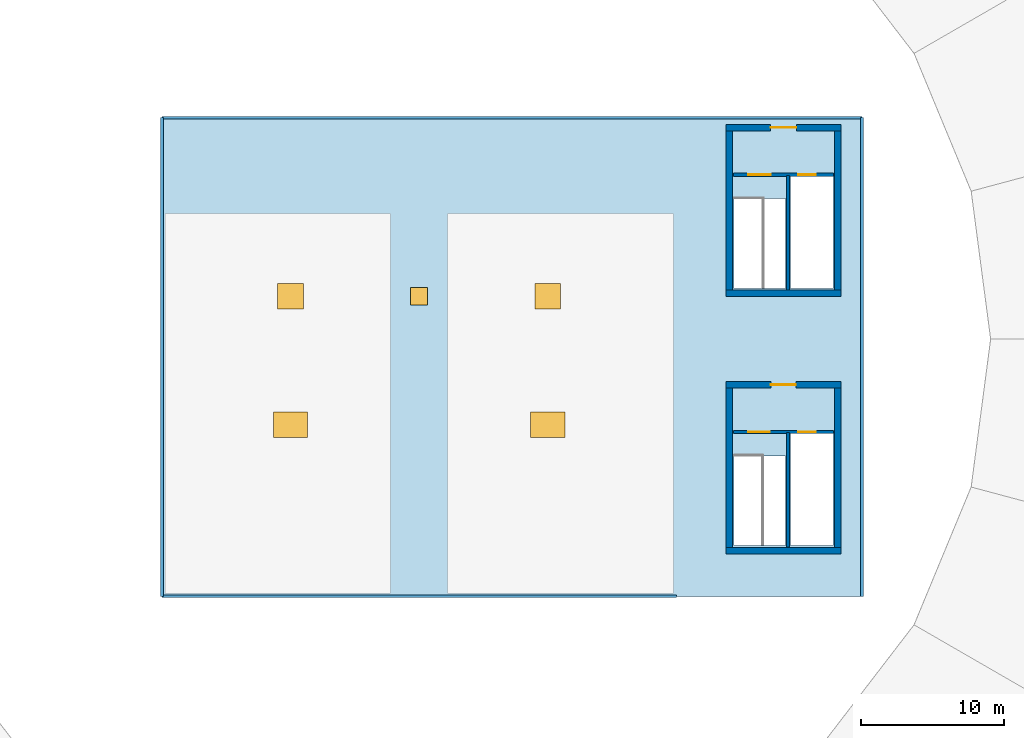
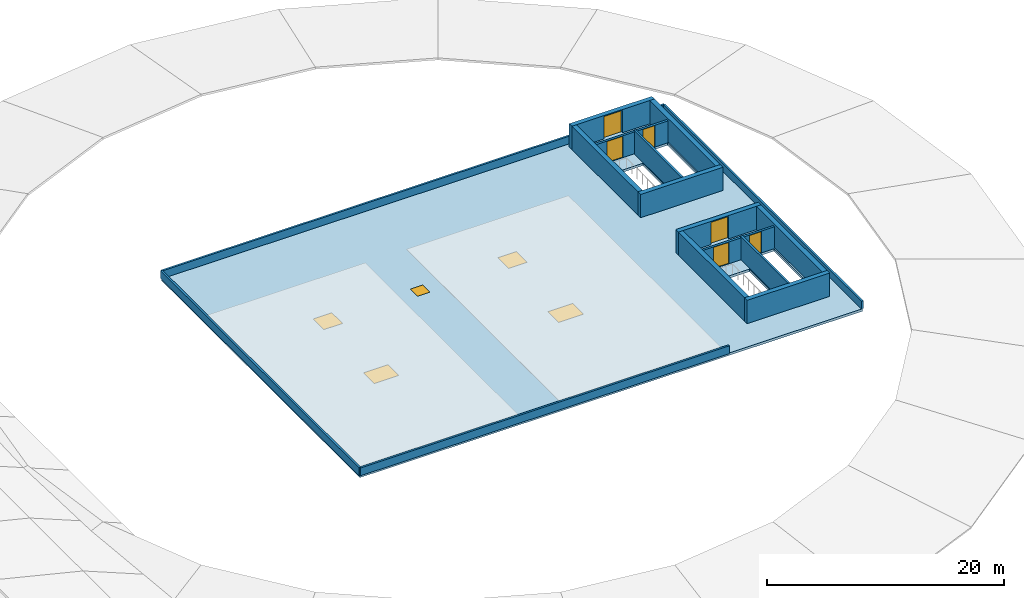
"""IFC4 building model written with IfcOpenShell, lengths in metres."""

from ifc_helpers import new_model, si_unit, direction, frame, frame_2d, origin, origin_2d, place, context, subcontext, project, spatial, polyline, rectangle, outline, extrude, material, layer, layer_set, type_object, element, fill, save


model = new_model("IFC4")

# Units and contexts
model_context = context("Model", 3, precision=1e-05, world=origin(), true_north=direction((0.0, 1.0)))
body_context = subcontext(model_context, "Body", "Model", "MODEL_VIEW")
ifc_project = project(units=[si_unit("LENGTHUNIT", "METRE"), si_unit("AREAUNIT", "SQUARE_METRE"), si_unit("VOLUMEUNIT", "CUBIC_METRE"), si_unit("PLANEANGLEUNIT", "RADIAN"), si_unit("MASSUNIT", "GRAM", prefix="KILO")], contexts=[model_context])

# Site, building, storey
site_placement = place(None, origin())
site = spatial("IfcSite", under=ifc_project, at=site_placement, CompositionType="ELEMENT")
building_placement = place(site_placement, origin())
building = spatial("IfcBuilding", under=site, at=building_placement, Name="Dornveld Trade and Exhibition Forum", CompositionType="ELEMENT")
storey_1_placement = place(building_placement, frame((0.0, 0.0, 26.39990234375)))
storey_1 = spatial("IfcBuildingStorey", under=building, at=storey_1_placement, Name="RF", CompositionType="ELEMENT", Elevation=26.39990234375)

# Slab, openings
ifc_material_1 = material(Name="Concrete C40/50", Category="concrete")
ifc_layer_1 = layer(ifc_material_1, 0.25)
ifc_layer_set_1 = layer_set([ifc_layer_1], Name="Concrete C40/50")
slab_type = type_object("IfcSlabType", Name="SL-ROOF-250", PredefinedType="ROOF", material=ifc_layer_set_1)
slab_placement = place(storey_1_placement, frame((0.0, 0.0, -0.25)))
slab = element("IfcSlab", 1, at=slab_placement, inside=storey_1, type_object=slab_type, Name="RF Belvedere Pavilion roof slab", PredefinedType="ROOF", context=body_context, shape_type="SweptSolid", body=[
    extrude(outline(polyline([(99.0, 63.0), (148.0, 63.0), (148.0, 96.5), (99.0, 96.5), (99.0, 63.0)]), holes=[polyline([(139.050048828125, 84.550048828125), (142.64990234375, 84.550048828125), (142.64990234375, 90.830078125), (139.050048828125, 90.830078125), (139.050048828125, 84.550048828125)]), polyline([(143.0, 84.550048828125), (145.949951171875, 84.550048828125), (145.949951171875, 92.39990234375), (143.0, 92.39990234375), (143.0, 84.550048828125)]), polyline([(139.050048828125, 66.550048828125), (142.64990234375, 66.550048828125), (142.64990234375, 72.830078125), (139.050048828125, 72.830078125), (139.050048828125, 66.550048828125)]), polyline([(143.0, 66.550048828125), (145.949951171875, 66.550048828125), (145.949951171875, 74.39990234375), (143.0, 74.39990234375), (143.0, 66.550048828125)]), polyline([(106.800048828125, 74.10009765625), (109.199951171875, 74.10009765625), (109.199951171875, 75.89990234375), (106.800048828125, 75.89990234375), (106.800048828125, 74.10009765625)]), polyline([(124.800048828125, 74.10009765625), (127.199951171875, 74.10009765625), (127.199951171875, 75.89990234375), (124.800048828125, 75.89990234375), (124.800048828125, 74.10009765625)]), polyline([(107.10009765625, 83.10009765625), (108.89990234375, 83.10009765625), (108.89990234375, 84.89990234375), (107.10009765625, 84.89990234375), (107.10009765625, 83.10009765625)]), polyline([(125.10009765625, 83.10009765625), (126.89990234375, 83.10009765625), (126.89990234375, 84.89990234375), (125.10009765625, 84.89990234375), (125.10009765625, 83.10009765625)]), polyline([(116.39990234375, 83.39990234375), (117.60009765625, 83.39990234375), (117.60009765625, 84.60009765625), (116.39990234375, 84.60009765625), (116.39990234375, 83.39990234375)])]), origin(), (0.0, 0.0, 1.0), 0.25),
])
opening_1_placement = place(slab_placement, frame((108.0, 75.0, 0.0)))
opening_1 = element("IfcOpeningElement", 2, at=opening_1_placement, cuts=slab, Name="Opening SK-01", PredefinedType="OPENING", context=body_context, shape_type="SweptSolid", body=[
    extrude(rectangle(XDim=2.39990234375, YDim=1.800048828125, at=origin_2d()), origin(), (0.0, 0.0, 1.0), 0.25),
])
opening_2_placement = place(slab_placement, frame((126.0, 75.0, 0.0)))
opening_2 = element("IfcOpeningElement", 3, at=opening_2_placement, cuts=slab, Name="Opening SK-02", PredefinedType="OPENING", context=body_context, shape_type="SweptSolid", body=[
    extrude(rectangle(XDim=2.39990234375, YDim=1.800048828125, at=origin_2d()), origin(), (0.0, 0.0, 1.0), 0.25),
])
opening_3_placement = place(slab_placement, frame((108.0, 84.0, 0.0)))
opening_3 = element("IfcOpeningElement", 4, at=opening_3_placement, cuts=slab, Name="Opening SK-03", PredefinedType="OPENING", context=body_context, shape_type="SweptSolid", body=[
    extrude(rectangle(XDim=1.800048828125, YDim=1.800048828125, at=origin_2d()), origin(), (0.0, 0.0, 1.0), 0.25),
])
opening_4_placement = place(slab_placement, frame((126.0, 84.0, 0.0)))
opening_4 = element("IfcOpeningElement", 5, at=opening_4_placement, cuts=slab, Name="Opening SK-04", PredefinedType="OPENING", context=body_context, shape_type="SweptSolid", body=[
    extrude(rectangle(XDim=1.800048828125, YDim=1.800048828125, at=origin_2d()), origin(), (0.0, 0.0, 1.0), 0.25),
])
opening_5_placement = place(slab_placement, frame((117.0, 84.0, 0.0)))
opening_5 = element("IfcOpeningElement", 6, at=opening_5_placement, cuts=slab, Name="Opening RH-01", PredefinedType="OPENING", context=body_context, shape_type="SweptSolid", body=[
    extrude(rectangle(XDim=1.199951171875, YDim=1.199951171875, at=origin_2d()), origin(), (0.0, 0.0, 1.0), 0.25),
])

# Storey
storey_2_placement = place(building_placement, frame((0.0, 0.0, 21.60009765625)))
storey_2 = spatial("IfcBuildingStorey", under=building, at=storey_2_placement, Name="L04", CompositionType="ELEMENT", Elevation=21.60009765625)

# Door
ifc_material_2 = material(Name="Galvanised insulated steel", Category="steel")
door_type_1 = type_object("IfcDoorType", Name="DR-HATCH-120", OperationType="NOTDEFINED", PredefinedType="TRAPDOOR", material=ifc_material_2)
door_1_placement = place(opening_5_placement, frame((0.0, 0.0, 0.199951171875)))
door_1 = element("IfcDoor", 7, at=door_1_placement, inside=storey_2, type_object=door_type_1, Name="L04 roof maintenance access hatch 1", OperationType="SINGLE_SWING_LEFT", OverallHeight=1.199951171875, OverallWidth=1.199951171875, PredefinedType="TRAPDOOR", context=body_context, shape_type="SweptSolid", body=[
    extrude(rectangle(XDim=1.199951171875, YDim=1.199951171875, at=origin_2d()), origin(), (0.0, 0.0, 1.0), 0.050048828125),
])

fill(opening_5, door_1)

# Window
ifc_material_3 = material(Name="Thermally broken laminated roof skylight glass", Category="glass")
window_type_1 = type_object("IfcWindowType", Name="SKY-RF-180", PartitioningType="SINGLE_PANEL", PredefinedType="SKYLIGHT", material=ifc_material_3)
window_1_placement = place(opening_3_placement, frame((0.0, 0.0, 0.199951171875)))
window_1 = element("IfcWindow", 8, at=window_1_placement, inside=storey_2, type_object=window_type_1, Name="L04 roof daylight skylight 3", OverallHeight=1.800048828125, OverallWidth=1.800048828125, PartitioningType="SINGLE_PANEL", PredefinedType="SKYLIGHT", context=body_context, shape_type="SweptSolid", body=[
    extrude(rectangle(XDim=1.800048828125, YDim=1.800048828125, at=origin_2d()), origin(), (0.0, 0.0, 1.0), 0.050048828125),
])

fill(opening_3, window_1)

window_2_placement = place(opening_4_placement, frame((0.0, 0.0, 0.199951171875)))
window_2 = element("IfcWindow", 9, at=window_2_placement, inside=storey_2, type_object=window_type_1, Name="L04 roof daylight skylight 4", OverallHeight=1.800048828125, OverallWidth=1.800048828125, PartitioningType="SINGLE_PANEL", PredefinedType="SKYLIGHT", context=body_context, shape_type="SweptSolid", body=[
    extrude(rectangle(XDim=1.800048828125, YDim=1.800048828125, at=origin_2d()), origin(), (0.0, 0.0, 1.0), 0.050048828125),
])

fill(opening_4, window_2)

ifc_material_4 = material(Name="Thermally broken laminated roof skylight glass", Category="glass")
window_type_2 = type_object("IfcWindowType", Name="SKY-RF-240", PartitioningType="SINGLE_PANEL", PredefinedType="SKYLIGHT", material=ifc_material_4)
window_3_placement = place(opening_1_placement, frame((0.0, 0.0, 0.199951171875)))
window_3 = element("IfcWindow", 10, at=window_3_placement, inside=storey_2, type_object=window_type_2, Name="L04 roof daylight skylight 1", OverallHeight=1.800048828125, OverallWidth=2.39990234375, PartitioningType="SINGLE_PANEL", PredefinedType="SKYLIGHT", context=body_context, shape_type="SweptSolid", body=[
    extrude(rectangle(XDim=2.39990234375, YDim=1.800048828125, at=origin_2d()), origin(), (0.0, 0.0, 1.0), 0.050048828125),
])

fill(opening_1, window_3)

window_4_placement = place(opening_2_placement, frame((0.0, 0.0, 0.199951171875)))
window_4 = element("IfcWindow", 11, at=window_4_placement, inside=storey_2, type_object=window_type_2, Name="L04 roof daylight skylight 2", OverallHeight=1.800048828125, OverallWidth=2.39990234375, PartitioningType="SINGLE_PANEL", PredefinedType="SKYLIGHT", context=body_context, shape_type="SweptSolid", body=[
    extrude(rectangle(XDim=2.39990234375, YDim=1.800048828125, at=origin_2d()), origin(), (0.0, 0.0, 1.0), 0.050048828125),
])

fill(opening_2, window_4)

# Wall
ifc_material_5 = material(Name="Concrete C40/50", Category="concrete")
ifc_layer_2 = layer(ifc_material_5, 0.449951171875)
ifc_layer_set_2 = layer_set([ifc_layer_2], Name="Concrete C40/50")
wall_type_1 = type_object("IfcWallType", Name="WL-CORE-450", PredefinedType="SHEAR", material=ifc_layer_set_2)
wall_1_placement = place(storey_1_placement, frame((138.47509765625, 84.199951171875, 0.0), z_axis=(0.0, 0.0, 1.0), x_axis=(1.0, 0.0, 0.0)))
element("IfcWall", 12, at=wall_1_placement, inside=storey_1, type_object=wall_type_1, Name="CORE-01 RF shear wall S", PredefinedType="SHEAR", context=body_context, shape_type="SweptSolid", body=[
    extrude(rectangle(XDim=8.0498046875, YDim=0.449951171875, at=frame_2d((4.02490234375, 0.0))), origin(), (0.0, 0.0, 1.0), 2.400146484375),
])

# Wall, opening, door
wall_2_placement = place(storey_1_placement, frame((138.47509765625, 95.800048828125, 0.0), z_axis=(0.0, 0.0, 1.0), x_axis=(1.0, 0.0, 0.0)))
wall_2 = element("IfcWall", 13, at=wall_2_placement, inside=storey_1, type_object=wall_type_1, Name="CORE-01 RF shear wall N", PredefinedType="SHEAR", context=body_context, shape_type="SweptSolid", body=[
    extrude(rectangle(XDim=8.0498046875, YDim=0.449951171875, at=frame_2d((4.02490234375, 0.0))), origin(), (0.0, 0.0, 1.0), 2.400146484375),
])
opening_6_placement = place(wall_2_placement, frame((3.125, 0.0, 0.0)))
opening_6 = element("IfcOpeningElement", 14, at=opening_6_placement, cuts=wall_2, Name="Opening CD-01-RF", PredefinedType="OPENING", context=body_context, shape_type="SweptSolid", body=[
    extrude(rectangle(XDim=1.800048828125, YDim=2.300048828125, at=frame_2d((0.89990234375, 1.14990234375))), frame((0.0, 0.23486328125, 0.0), z_axis=(0.0, -1.0, 0.0), x_axis=(1.0, 0.0, 0.0)), (0.0, 0.0, 1.0), 0.469970703125),
])
ifc_material_6 = material(Name="Steel fire-rated double door assembly", Category="steel")
door_type_2 = type_object("IfcDoorType", Name="DR-CORE-180x230", OperationType="NOTDEFINED", PredefinedType="DOOR", material=ifc_material_6)
door_2_placement = place(opening_6_placement, frame((1.800048828125, 0.0, 0.0), z_axis=(0.0, 0.0, 1.0), x_axis=(-1.0, 0.0, 0.0)))
door_2 = element("IfcDoor", 15, at=door_2_placement, inside=storey_1, type_object=door_type_2, Name="CORE-01 RF core lobby double fire door", OperationType="DOUBLE_DOOR_SINGLE_SWING", OverallHeight=2.300048828125, OverallWidth=1.800048828125, PredefinedType="DOOR", context=body_context, shape_type="SweptSolid", body=[
    extrude(rectangle(XDim=1.800048828125, YDim=2.300048828125, at=frame_2d((0.89990234375, 1.14990234375))), frame((0.0, 0.02490234375, 0.0), z_axis=(0.0, -1.0, 0.0), x_axis=(1.0, 0.0, 0.0)), (0.0, 0.0, 1.0), 0.050048828125),
])
fill(opening_6, door_2)

# Walls
for number, where, z_axis, x_axis, name in (
    (16, (138.699951171875, 84.425048828125, 0.0), (0.0, 0.0, 1.0), (0.0, 1.0, 0.0), "CORE-01 RF shear wall W"),
    (17, (146.300048828125, 84.425048828125, 0.0), (0.0, 0.0, 1.0), (0.0, 1.0, 0.0), "CORE-01 RF shear wall E"),
):
    element("IfcWall", number, at=place(storey_1_placement, frame(where, z_axis=z_axis, x_axis=x_axis)), inside=storey_1, type_object=wall_type_1, Name=name, PredefinedType="SHEAR", context=body_context, shape_type="SweptSolid", body=[
        extrude(rectangle(XDim=11.14990234375, YDim=0.449951171875, at=frame_2d((5.574951171875, 0.0))), origin(), (0.0, 0.0, 1.0), 2.400146484375),
    ])
wall_3_placement = place(storey_1_placement, frame((138.47509765625, 66.199951171875, 0.0), z_axis=(0.0, 0.0, 1.0), x_axis=(1.0, 0.0, 0.0)))
element("IfcWall", 18, at=wall_3_placement, inside=storey_1, type_object=wall_type_1, Name="CORE-08 RF shear wall S", PredefinedType="SHEAR", context=body_context, shape_type="SweptSolid", body=[
    extrude(rectangle(XDim=8.0498046875, YDim=0.449951171875, at=frame_2d((4.02490234375, 0.0))), origin(), (0.0, 0.0, 1.0), 2.400146484375),
])

# Wall, opening, door
wall_4_placement = place(storey_1_placement, frame((138.47509765625, 77.800048828125, 0.0), z_axis=(0.0, 0.0, 1.0), x_axis=(1.0, 0.0, 0.0)))
wall_4 = element("IfcWall", 19, at=wall_4_placement, inside=storey_1, type_object=wall_type_1, Name="CORE-08 RF shear wall N", PredefinedType="SHEAR", context=body_context, shape_type="SweptSolid", body=[
    extrude(rectangle(XDim=8.0498046875, YDim=0.449951171875, at=frame_2d((4.02490234375, 0.0))), origin(), (0.0, 0.0, 1.0), 2.400146484375),
])
opening_7_placement = place(wall_4_placement, frame((3.14990234375, 0.0, 0.0)))
opening_7 = element("IfcOpeningElement", 20, at=opening_7_placement, cuts=wall_4, Name="Opening CD-08-RF", PredefinedType="OPENING", context=body_context, shape_type="SweptSolid", body=[
    extrude(rectangle(XDim=1.75, YDim=2.300048828125, at=frame_2d((0.875, 1.14990234375))), frame((0.0, 0.23486328125, 0.0), z_axis=(0.0, -1.0, 0.0), x_axis=(1.0, 0.0, 0.0)), (0.0, 0.0, 1.0), 0.469970703125),
])
ifc_material_7 = material(Name="Steel fire-rated double door assembly", Category="steel")
door_type_3 = type_object("IfcDoorType", Name="DR-CORE-175x230", OperationType="NOTDEFINED", PredefinedType="DOOR", material=ifc_material_7)
door_3_placement = place(opening_7_placement, frame((1.75, 0.0, 0.0), z_axis=(0.0, 0.0, 1.0), x_axis=(-1.0, 0.0, 0.0)))
door_3 = element("IfcDoor", 21, at=door_3_placement, inside=storey_1, type_object=door_type_3, Name="CORE-08 RF core lobby double fire door", OperationType="DOUBLE_DOOR_SINGLE_SWING", OverallHeight=2.300048828125, OverallWidth=1.75, PredefinedType="DOOR", context=body_context, shape_type="SweptSolid", body=[
    extrude(rectangle(XDim=1.75, YDim=2.300048828125, at=frame_2d((0.875, 1.14990234375))), frame((0.0, 0.02490234375, 0.0), z_axis=(0.0, -1.0, 0.0), x_axis=(1.0, 0.0, 0.0)), (0.0, 0.0, 1.0), 0.050048828125),
])
fill(opening_7, door_3)

# Walls
for number, where, z_axis, x_axis, name in (
    (22, (138.699951171875, 66.425048828125, 0.0), (0.0, 0.0, 1.0), (0.0, 1.0, 0.0), "CORE-08 RF shear wall W"),
    (23, (146.300048828125, 66.425048828125, 0.0), (0.0, 0.0, 1.0), (0.0, 1.0, 0.0), "CORE-08 RF shear wall E"),
):
    element("IfcWall", number, at=place(storey_1_placement, frame(where, z_axis=z_axis, x_axis=x_axis)), inside=storey_1, type_object=wall_type_1, Name=name, PredefinedType="SHEAR", context=body_context, shape_type="SweptSolid", body=[
        extrude(rectangle(XDim=11.14990234375, YDim=0.449951171875, at=frame_2d((5.574951171875, 0.0))), origin(), (0.0, 0.0, 1.0), 2.400146484375),
    ])

# Wall, openings, doors
ifc_material_8 = material(Name="Concrete C40/50", Category="concrete")
ifc_layer_3 = layer(ifc_material_8, 0.219970703125)
ifc_layer_set_3 = layer_set([ifc_layer_3], Name="Concrete C40/50")
wall_type_2 = type_object("IfcWallType", Name="WL-INT-LOB220", PredefinedType="SOLIDWALL", material=ifc_layer_set_3)
wall_5_placement = place(storey_1_placement, frame((139.0, 92.5, 0.0), z_axis=(0.0, 0.0, 1.0), x_axis=(1.0, 0.0, 0.0)))
wall_5 = element("IfcWall", 24, at=wall_5_placement, inside=storey_1, type_object=wall_type_2, Name="CORE-01 RF protected lobby bulkhead wall", PredefinedType="SOLIDWALL", context=body_context, shape_type="SweptSolid", body=[
    extrude(rectangle(XDim=7.0, YDim=0.219970703125, at=frame_2d((3.5, 0.0))), origin(), (0.0, 0.0, 1.0), 2.25),
])
opening_8_placement = place(wall_5_placement, frame((1.050048828125, 0.0, 0.0)))
opening_8 = element("IfcOpeningElement", 25, at=opening_8_placement, cuts=wall_5, Name="Opening SD-01-RF", PredefinedType="OPENING", context=body_context, shape_type="SweptSolid", body=[
    extrude(rectangle(XDim=1.550048828125, YDim=2.199951171875, at=frame_2d((0.77490234375, 1.10009765625))), frame((0.0, 0.119873046875, 0.0), z_axis=(0.0, -1.0, 0.0), x_axis=(1.0, 0.0, 0.0)), (0.0, 0.0, 1.0), 0.239990234375),
])
opening_9_placement = place(wall_5_placement, frame((4.550048828125, 0.0, 0.0)))
opening_9 = element("IfcOpeningElement", 26, at=opening_9_placement, cuts=wall_5, Name="Opening LD-01-RF", PredefinedType="OPENING", context=body_context, shape_type="SweptSolid", body=[
    extrude(rectangle(XDim=1.199951171875, YDim=2.199951171875, at=frame_2d((0.60009765625, 1.10009765625))), frame((0.0, 0.119873046875, 0.0), z_axis=(0.0, -1.0, 0.0), x_axis=(1.0, 0.0, 0.0)), (0.0, 0.0, 1.0), 0.239990234375),
])
ifc_material_9 = material(Name="Brushed stainless steel sliding lift landing door", Category="steel")
door_type_4 = type_object("IfcDoorType", Name="DR-LIFT-120x220", OperationType="NOTDEFINED", PredefinedType="DOOR", material=ifc_material_9)
door_4_placement = place(opening_9_placement, origin())
door_4 = element("IfcDoor", 27, at=door_4_placement, inside=storey_1, type_object=door_type_4, Name="CORE-01 RF lift sliding landing door", OperationType="SLIDING_TO_LEFT", OverallHeight=2.199951171875, OverallWidth=1.199951171875, PredefinedType="DOOR", context=body_context, shape_type="SweptSolid", body=[
    extrude(rectangle(XDim=1.199951171875, YDim=2.199951171875, at=frame_2d((0.60009765625, 1.10009765625))), frame((0.0, 0.02490234375, 0.0), z_axis=(0.0, -1.0, 0.0), x_axis=(1.0, 0.0, 0.0)), (0.0, 0.0, 1.0), 0.050048828125),
])
fill(opening_9, door_4)
ifc_material_10 = material(Name="Steel fire-rated stair door assembly", Category="steel")
door_type_5 = type_object("IfcDoorType", Name="DR-STAIR-155x220", OperationType="NOTDEFINED", PredefinedType="DOOR", material=ifc_material_10)
door_5_placement = place(opening_8_placement, origin())
door_5 = element("IfcDoor", 28, at=door_5_placement, inside=storey_1, type_object=door_type_5, Name="CORE-01 RF protected stair door", OperationType="SINGLE_SWING_LEFT", OverallHeight=2.199951171875, OverallWidth=1.550048828125, PredefinedType="DOOR", context=body_context, shape_type="SweptSolid", body=[
    extrude(rectangle(XDim=1.550048828125, YDim=2.199951171875, at=frame_2d((0.77490234375, 1.10009765625))), frame((0.0, 0.02490234375, 0.0), z_axis=(0.0, -1.0, 0.0), x_axis=(1.0, 0.0, 0.0)), (0.0, 0.0, 1.0), 0.050048828125),
])
fill(opening_8, door_5)

wall_6_placement = place(storey_1_placement, frame((139.0, 74.5, 0.0), z_axis=(0.0, 0.0, 1.0), x_axis=(1.0, 0.0, 0.0)))
wall_6 = element("IfcWall", 29, at=wall_6_placement, inside=storey_1, type_object=wall_type_2, Name="CORE-08 RF protected lobby bulkhead wall", PredefinedType="SOLIDWALL", context=body_context, shape_type="SweptSolid", body=[
    extrude(rectangle(XDim=7.0, YDim=0.219970703125, at=frame_2d((3.5, 0.0))), origin(), (0.0, 0.0, 1.0), 2.25),
])
opening_10_placement = place(wall_6_placement, frame((1.050048828125, 0.0, 0.0)))
opening_10 = element("IfcOpeningElement", 30, at=opening_10_placement, cuts=wall_6, Name="Opening SD-08-RF", PredefinedType="OPENING", context=body_context, shape_type="SweptSolid", body=[
    extrude(rectangle(XDim=1.5, YDim=2.199951171875, at=frame_2d((0.75, 1.10009765625))), frame((0.0, 0.119873046875, 0.0), z_axis=(0.0, -1.0, 0.0), x_axis=(1.0, 0.0, 0.0)), (0.0, 0.0, 1.0), 0.239990234375),
])
opening_11_placement = place(wall_6_placement, frame((4.550048828125, 0.0, 0.0)))
opening_11 = element("IfcOpeningElement", 31, at=opening_11_placement, cuts=wall_6, Name="Opening LD-08-RF", PredefinedType="OPENING", context=body_context, shape_type="SweptSolid", body=[
    extrude(rectangle(XDim=1.199951171875, YDim=2.199951171875, at=frame_2d((0.60009765625, 1.10009765625))), frame((0.0, 0.119873046875, 0.0), z_axis=(0.0, -1.0, 0.0), x_axis=(1.0, 0.0, 0.0)), (0.0, 0.0, 1.0), 0.239990234375),
])
door_6_placement = place(opening_11_placement, origin())
door_6 = element("IfcDoor", 32, at=door_6_placement, inside=storey_1, type_object=door_type_4, Name="CORE-08 RF lift sliding landing door", OperationType="SLIDING_TO_RIGHT", OverallHeight=2.199951171875, OverallWidth=1.199951171875, PredefinedType="DOOR", context=body_context, shape_type="SweptSolid", body=[
    extrude(rectangle(XDim=1.199951171875, YDim=2.199951171875, at=frame_2d((0.60009765625, 1.10009765625))), frame((0.0, 0.02490234375, 0.0), z_axis=(0.0, -1.0, 0.0), x_axis=(1.0, 0.0, 0.0)), (0.0, 0.0, 1.0), 0.050048828125),
])
fill(opening_11, door_6)
ifc_material_11 = material(Name="Steel fire-rated stair door assembly", Category="steel")
door_type_6 = type_object("IfcDoorType", Name="DR-STAIR-150x220", OperationType="NOTDEFINED", PredefinedType="DOOR", material=ifc_material_11)
door_7_placement = place(opening_10_placement, origin())
door_7 = element("IfcDoor", 33, at=door_7_placement, inside=storey_1, type_object=door_type_6, Name="CORE-08 RF protected stair door", OperationType="SINGLE_SWING_RIGHT", OverallHeight=2.199951171875, OverallWidth=1.5, PredefinedType="DOOR", context=body_context, shape_type="SweptSolid", body=[
    extrude(rectangle(XDim=1.5, YDim=2.199951171875, at=frame_2d((0.75, 1.10009765625))), frame((0.0, 0.02490234375, 0.0), z_axis=(0.0, -1.0, 0.0), x_axis=(1.0, 0.0, 0.0)), (0.0, 0.0, 1.0), 0.050048828125),
])
fill(opening_10, door_7)

# Walls
ifc_material_12 = material(Name="Concrete C40/50", Category="concrete")
ifc_layer_4 = layer(ifc_material_12, 0.199951171875)
ifc_layer_set_4 = layer_set([ifc_layer_4], Name="Concrete C40/50")
wall_type_3 = type_object("IfcWallType", Name="WL-INT-SHAFT200", PredefinedType="SOLIDWALL", material=ifc_layer_set_4)
for number, where, z_axis, x_axis, name in (
    (34, (142.820068359375, 84.449951171875, 0.0), (0.0, 0.0, 1.0), (0.0, 1.0, 0.0), "CORE-01 RF lift-stair structural shaft wall"),
    (35, (142.820068359375, 66.449951171875, 0.0), (0.0, 0.0, 1.0), (0.0, 1.0, 0.0), "CORE-08 RF lift-stair structural shaft wall"),
):
    element("IfcWall", number, at=place(storey_1_placement, frame(where, z_axis=z_axis, x_axis=x_axis)), inside=storey_1, type_object=wall_type_3, Name=name, PredefinedType="SOLIDWALL", context=body_context, shape_type="SweptSolid", body=[
        extrude(rectangle(XDim=8.0, YDim=0.199951171875, at=frame_2d((4.0, 0.0))), origin(), (0.0, 0.0, 1.0), 2.400146484375),
    ])
ifc_material_13 = material(Name="Precast concrete C50/60", Category="concrete")
ifc_layer_5 = layer(ifc_material_13, 0.18994140625)
ifc_layer_set_5 = layer_set([ifc_layer_5], Name="Precast concrete C50/60")
wall_type_4 = type_object("IfcWallType", Name="WL-PAR-190", PredefinedType="PARAPET", material=ifc_layer_set_5)
wall_7_placement = place(storey_1_placement, frame((99.0, 63.0, 0.0), z_axis=(0.0, 0.0, 1.0), x_axis=(1.0, 0.0, 0.0)))
element("IfcWall", 36, at=wall_7_placement, inside=storey_1, type_object=wall_type_4, Name="RF roof parapet 8", PredefinedType="PARAPET", context=body_context, shape_type="SweptSolid", body=[
    extrude(rectangle(XDim=36.0, YDim=0.18994140625, at=frame_2d((18.0, 0.0))), origin(), (0.0, 0.0, 1.0), 0.800048828125),
])
wall_8_placement = place(storey_1_placement, frame((148.0, 63.0, 0.0), z_axis=(0.0, 0.0, 1.0), x_axis=(0.0, 1.0, 0.0)))
element("IfcWall", 37, at=wall_8_placement, inside=storey_1, type_object=wall_type_4, Name="RF roof parapet 9", PredefinedType="PARAPET", context=body_context, shape_type="SweptSolid", body=[
    extrude(rectangle(XDim=33.5, YDim=0.18994140625, at=frame_2d((16.75, 0.0))), origin(), (0.0, 0.0, 1.0), 0.800048828125),
])
wall_9_placement = place(storey_1_placement, frame((148.0, 96.5, 0.0), z_axis=(0.0, 0.0, 1.0), x_axis=(-1.0, 0.0, 0.0)))
element("IfcWall", 38, at=wall_9_placement, inside=storey_1, type_object=wall_type_4, Name="RF roof parapet 10", PredefinedType="PARAPET", context=body_context, shape_type="SweptSolid", body=[
    extrude(rectangle(XDim=49.0, YDim=0.18994140625, at=frame_2d((24.5, 0.0))), origin(), (0.0, 0.0, 1.0), 0.800048828125),
])
wall_10_placement = place(storey_1_placement, frame((99.0, 96.5, 0.0), z_axis=(0.0, 0.0, 1.0), x_axis=(0.0, -1.0, 0.0)))
element("IfcWall", 39, at=wall_10_placement, inside=storey_1, type_object=wall_type_4, Name="RF roof parapet 11", PredefinedType="PARAPET", context=body_context, shape_type="SweptSolid", body=[
    extrude(rectangle(XDim=33.5, YDim=0.18994140625, at=frame_2d((16.75, 0.0))), origin(), (0.0, 0.0, 1.0), 0.800048828125),
])

save(model, "model.ifc")
